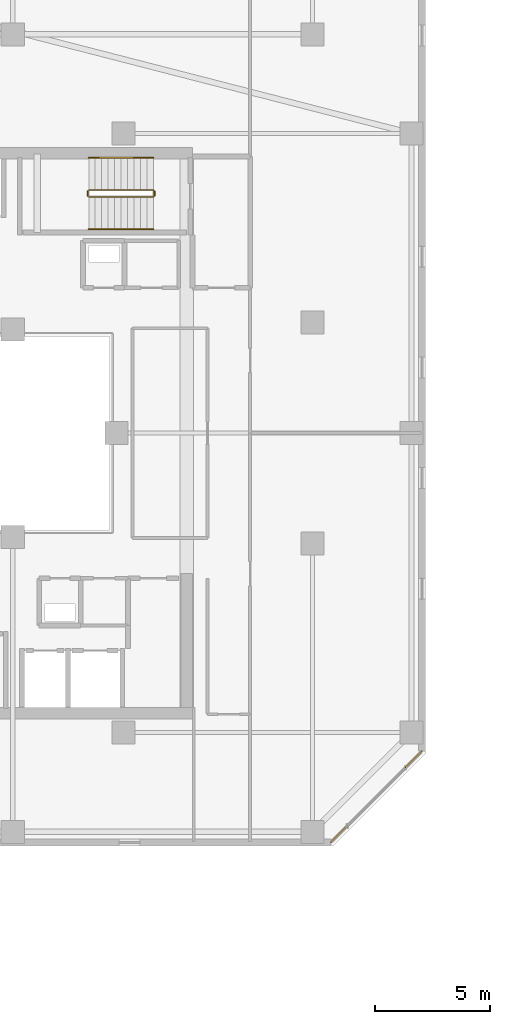
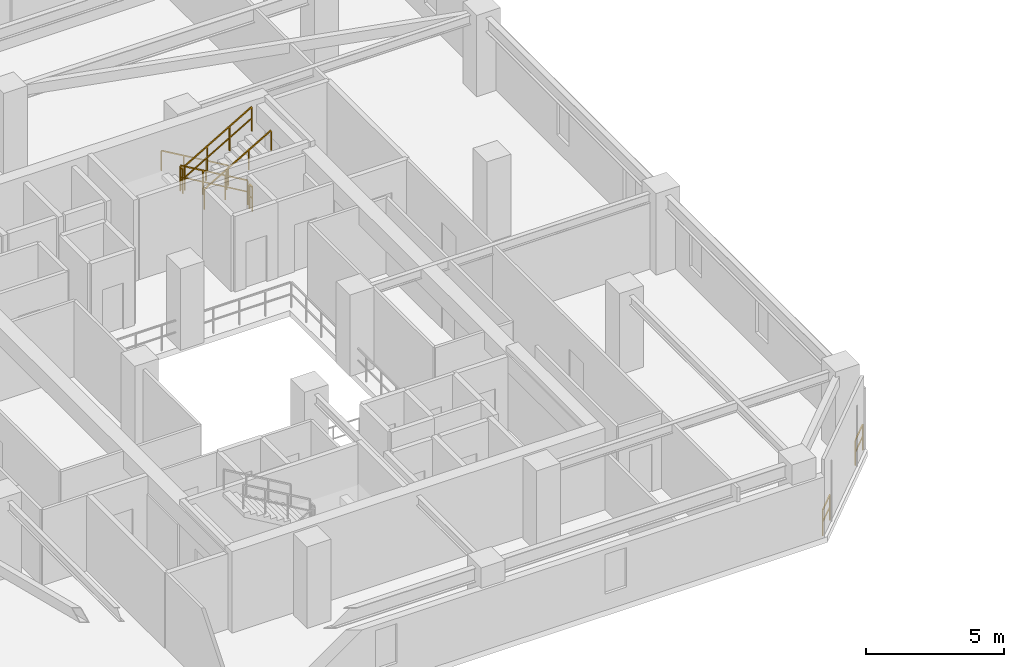
# One storey, part 31 of 33: 8 railings.
"""IFC4 building model written with IfcOpenShell, lengths in metres."""

from ifc_helpers import new_model, si_unit, direction, frame, origin, origin_2d, place, context, subcontext, project, spatial, rectangle, extrude, material, type_object, element, save


model = new_model("IFC4")

# Units and contexts
model_context = context("Model", 3, precision=1e-05, world=origin(), true_north=direction((0.0, 1.0)))
body_context = subcontext(model_context, "Body", "Model", "MODEL_VIEW")
ifc_project = project(units=[si_unit("LENGTHUNIT", "METRE"), si_unit("AREAUNIT", "SQUARE_METRE"), si_unit("VOLUMEUNIT", "CUBIC_METRE"), si_unit("PLANEANGLEUNIT", "RADIAN"), si_unit("MASSUNIT", "GRAM", prefix="KILO")], contexts=[model_context])

# Site, building, storey
site_placement = place(None, origin())
site = spatial("IfcSite", under=ifc_project, at=site_placement, CompositionType="ELEMENT")
building_placement = place(site_placement, origin())
building = spatial("IfcBuilding", under=site, at=building_placement, Name="Thornwick Lancets Civic Towers", CompositionType="ELEMENT")
storey_placement = place(building_placement, frame((0.0, 0.0, 203.699951171875)))
storey = spatial("IfcBuildingStorey", under=building, at=storey_placement, Name="L54", CompositionType="ELEMENT", Elevation=203.699951171875)

# Railings
ifc_material_1 = material(Name="Brushed stainless steel S355", Category="steel")
railing_type_1 = type_object("IfcRailingType", Name="RAIL_HANDRAIL", PredefinedType="HANDRAIL", material=ifc_material_1)
railing_1_placement = place(storey_placement, frame((31.60009765625, 38.949951171875, 0.16357421875)))
element("IfcRailing", 1, at=railing_1_placement, inside=storey, type_object=railing_type_1, Name="L54 ST-A2 stair handrail 1", PredefinedType="HANDRAIL", context=body_context, shape_type="SweptSolid", body=[
    extrude(rectangle(XDim=0.048095703125, YDim=0.048095703125, at=origin_2d()), frame((0.0, 0.0, 0.8857421875), z_axis=(-0.863360870873, 0.0, 0.504586966384), x_axis=(0.0, -1.0, 0.0)), (0.0, 0.0, 1.0), 3.2431640625),
    extrude(rectangle(XDim=0.0419921875, YDim=0.0419921875, at=origin_2d()), origin(), (0.0, 0.0, 1.0), 0.855712890625),
    extrude(rectangle(XDim=0.0419921875, YDim=0.0419921875, at=origin_2d()), frame((-0.933349609375, 0.0, 0.54541015625)), (0.0, 0.0, 1.0), 0.855712890625),
    extrude(rectangle(XDim=0.0419921875, YDim=0.0419921875, at=origin_2d()), frame((-1.86669921875, 0.0, 1.091064453125)), (0.0, 0.0, 1.0), 0.855712890625),
    extrude(rectangle(XDim=0.0419921875, YDim=0.0419921875, at=origin_2d()), frame((-2.800048828125, 0.0, 1.636474609375)), (0.0, 0.0, 1.0), 0.855712890625),
])
railing_2_placement = place(storey_placement, frame((28.800048828125, 35.85009765625, 1.963623046875)))
element("IfcRailing", 2, at=railing_2_placement, inside=storey, type_object=railing_type_1, Name="L54 ST-A2 stair handrail 2", PredefinedType="HANDRAIL", context=body_context, shape_type="SweptSolid", body=[
    extrude(rectangle(XDim=0.048095703125, YDim=0.048095703125, at=origin_2d()), frame((0.0, 0.0, 0.8857421875), z_axis=(0.863360870873, 0.0, 0.504586966384), x_axis=(0.0, 1.0, 0.0)), (0.0, 0.0, 1.0), 3.2431640625),
    extrude(rectangle(XDim=0.0419921875, YDim=0.0419921875, at=origin_2d()), origin(), (0.0, 0.0, 1.0), 0.855712890625),
    extrude(rectangle(XDim=0.0419921875, YDim=0.0419921875, at=origin_2d()), frame((0.933349609375, 0.0, 0.54541015625)), (0.0, 0.0, 1.0), 0.855712890625),
    extrude(rectangle(XDim=0.0419921875, YDim=0.0419921875, at=origin_2d()), frame((1.86669921875, 0.0, 1.091064453125)), (0.0, 0.0, 1.0), 0.855712890625),
    extrude(rectangle(XDim=0.0419921875, YDim=0.0419921875, at=origin_2d()), frame((2.800048828125, 0.0, 1.636474609375)), (0.0, 0.0, 1.0), 0.855712890625),
])
ifc_material_2 = material(Name="Steel S355JR", Category="steel")
railing_type_2 = type_object("IfcRailingType", Name="RAIL_STAIR_GUARD", PredefinedType="GUARDRAIL", material=ifc_material_2)
railing_3_placement = place(storey_placement, frame((31.60009765625, 37.550048828125, 0.16357421875)))
element("IfcRailing", 3, at=railing_3_placement, inside=storey, type_object=railing_type_2, Name="L54 ST-A2 stair guard 1", PredefinedType="GUARDRAIL", context=body_context, shape_type="SweptSolid", body=[
    extrude(rectangle(XDim=0.048095703125, YDim=0.048095703125, at=origin_2d()), frame((0.0, 0.0, 1.076171875), z_axis=(-0.863360870873, 0.0, 0.504586966384), x_axis=(0.0, -1.0, 0.0)), (0.0, 0.0, 1.0), 3.2431640625),
    extrude(rectangle(XDim=0.0419921875, YDim=0.0419921875, at=origin_2d()), frame((-0.032470703125, 0.0, 0.591064453125), z_axis=(-0.863360870873, 0.0, 0.504586966384), x_axis=(0.0, -1.0, 0.0)), (0.0, 0.0, 1.0), 1.006103515625),
    extrude(rectangle(XDim=0.0419921875, YDim=0.0419921875, at=origin_2d()), frame((-0.9658203125, 0.0, 1.136474609375), z_axis=(-0.863360870873, 0.0, 0.504586966384), x_axis=(0.0, -1.0, 0.0)), (0.0, 0.0, 1.0), 1.006103515625),
    extrude(rectangle(XDim=0.0419921875, YDim=0.0419921875, at=origin_2d()), frame((-1.899169921875, 0.0, 1.681884765625), z_axis=(-0.863360870873, 0.0, 0.504586966384), x_axis=(0.0, -1.0, 0.0)), (0.0, 0.0, 1.0), 1.006103515625),
    extrude(rectangle(XDim=0.0419921875, YDim=0.0419921875, at=origin_2d()), origin(), (0.0, 0.0, 1.0), 1.0458984375),
    extrude(rectangle(XDim=0.0419921875, YDim=0.0419921875, at=origin_2d()), frame((-0.933349609375, 0.0, 0.54541015625)), (0.0, 0.0, 1.0), 1.0458984375),
    extrude(rectangle(XDim=0.0419921875, YDim=0.0419921875, at=origin_2d()), frame((-1.86669921875, 0.0, 1.091064453125)), (0.0, 0.0, 1.0), 1.0458984375),
    extrude(rectangle(XDim=0.0419921875, YDim=0.0419921875, at=origin_2d()), frame((-2.800048828125, 0.0, 1.636474609375)), (0.0, 0.0, 1.0), 1.0458984375),
])
railing_4_placement = place(storey_placement, frame((28.75, 37.5, 1.800048828125)))
element("IfcRailing", 4, at=railing_4_placement, inside=storey, type_object=railing_type_2, Name="L54 ST-A2 stair guard 2", PredefinedType="GUARDRAIL", context=body_context, shape_type="SweptSolid", body=[
    extrude(rectangle(XDim=0.048095703125, YDim=0.048095703125, at=origin_2d()), frame((0.0, 0.0, 1.076171875), z_axis=(0.0, -1.0, 0.0), x_axis=(1.0, 0.0, 0.0)), (0.0, 0.0, 1.0), 0.199951171875),
    extrude(rectangle(XDim=0.0419921875, YDim=0.0419921875, at=origin_2d()), frame((0.0, -0.03759765625, 0.572021484375), z_axis=(0.0, -1.0, 0.0), x_axis=(1.0, 0.0, 0.0)), (0.0, 0.0, 1.0), 0.125),
    extrude(rectangle(XDim=0.0419921875, YDim=0.0419921875, at=origin_2d()), origin(), (0.0, 0.0, 1.0), 1.0458984375),
    extrude(rectangle(XDim=0.0419921875, YDim=0.0419921875, at=origin_2d()), frame((0.0, -0.199951171875, 0.0)), (0.0, 0.0, 1.0), 1.0458984375),
])
railing_5_placement = place(storey_placement, frame((28.800048828125, 37.25, 1.963623046875)))
element("IfcRailing", 5, at=railing_5_placement, inside=storey, type_object=railing_type_2, Name="L54 ST-A2 stair guard 3", PredefinedType="GUARDRAIL", context=body_context, shape_type="SweptSolid", body=[
    extrude(rectangle(XDim=0.048095703125, YDim=0.048095703125, at=origin_2d()), frame((0.0, 0.0, 1.076171875), z_axis=(0.863360870873, 0.0, 0.504586966384), x_axis=(0.0, 1.0, 0.0)), (0.0, 0.0, 1.0), 3.2431640625),
    extrude(rectangle(XDim=0.0419921875, YDim=0.0419921875, at=origin_2d()), frame((0.032470703125, 0.0, 0.591064453125), z_axis=(0.863360870873, 0.0, 0.504586966384), x_axis=(0.0, 1.0, 0.0)), (0.0, 0.0, 1.0), 1.006103515625),
    extrude(rectangle(XDim=0.0419921875, YDim=0.0419921875, at=origin_2d()), frame((0.9658203125, 0.0, 1.136474609375), z_axis=(0.863360870873, 0.0, 0.504586966384), x_axis=(0.0, 1.0, 0.0)), (0.0, 0.0, 1.0), 1.006103515625),
    extrude(rectangle(XDim=0.0419921875, YDim=0.0419921875, at=origin_2d()), frame((1.899169921875, 0.0, 1.681884765625), z_axis=(0.863360870873, 0.0, 0.504586966384), x_axis=(0.0, 1.0, 0.0)), (0.0, 0.0, 1.0), 1.006103515625),
    extrude(rectangle(XDim=0.0419921875, YDim=0.0419921875, at=origin_2d()), origin(), (0.0, 0.0, 1.0), 1.0458984375),
    extrude(rectangle(XDim=0.0419921875, YDim=0.0419921875, at=origin_2d()), frame((0.933349609375, 0.0, 0.54541015625)), (0.0, 0.0, 1.0), 1.0458984375),
    extrude(rectangle(XDim=0.0419921875, YDim=0.0419921875, at=origin_2d()), frame((1.86669921875, 0.0, 1.091064453125)), (0.0, 0.0, 1.0), 1.0458984375),
    extrude(rectangle(XDim=0.0419921875, YDim=0.0419921875, at=origin_2d()), frame((2.800048828125, 0.0, 1.636474609375)), (0.0, 0.0, 1.0), 1.0458984375),
])
railing_6_placement = place(storey_placement, frame((31.64990234375, 37.5, 0.0)))
element("IfcRailing", 6, at=railing_6_placement, inside=storey, type_object=railing_type_2, Name="L54 ST-A2 stair guard 4", PredefinedType="GUARDRAIL", context=body_context, shape_type="SweptSolid", body=[
    extrude(rectangle(XDim=0.048095703125, YDim=0.048095703125, at=origin_2d()), frame((0.0, 0.0, 1.076171875), z_axis=(0.0, -1.0, 0.0), x_axis=(1.0, 0.0, 0.0)), (0.0, 0.0, 1.0), 0.199951171875),
    extrude(rectangle(XDim=0.0419921875, YDim=0.0419921875, at=origin_2d()), frame((0.0, -0.03759765625, 0.572021484375), z_axis=(0.0, -1.0, 0.0), x_axis=(1.0, 0.0, 0.0)), (0.0, 0.0, 1.0), 0.125),
    extrude(rectangle(XDim=0.0419921875, YDim=0.0419921875, at=origin_2d()), origin(), (0.0, 0.0, 1.0), 1.0458984375),
    extrude(rectangle(XDim=0.0419921875, YDim=0.0419921875, at=origin_2d()), frame((0.0, -0.199951171875, 0.0)), (0.0, 0.0, 1.0), 1.0458984375),
])
ifc_material_3 = material(Name="Terracotta-capped laminated glass balustrade S355", Category="masonry")
railing_type_3 = type_object("IfcRailingType", Name="RAIL_TERR_GUARD", PredefinedType="GUARDRAIL", material=ifc_material_3)
railing_7_placement = place(storey_placement, frame((39.3017578125, 9.239990234375, 0.0)))
element("IfcRailing", 7, at=railing_7_placement, inside=storey, type_object=railing_type_3, Name="L54 Tower A Chamfer Spandrel Guard E1-1", PredefinedType="GUARDRAIL", context=body_context, shape_type="SweptSolid", body=[
    extrude(rectangle(XDim=0.048095703125, YDim=0.048095703125, at=origin_2d()), frame((0.0, 0.0, 1.1259765625), z_axis=(0.707227830021, 0.706985711626, 0.0), x_axis=(-0.706985711626, 0.707227830021, 0.0)), (0.0, 0.0, 1.0), 1.00830078125),
    extrude(rectangle(XDim=0.0419921875, YDim=0.0419921875, at=origin_2d()), frame((0.026611328125, 0.026611328125, 0.597900390625), z_axis=(0.707227830021, 0.706985711626, 0.0), x_axis=(-0.706985711626, 0.707227830021, 0.0)), (0.0, 0.0, 1.0), 0.933349609375),
    extrude(rectangle(XDim=0.0419921875, YDim=0.0419921875, at=origin_2d()), origin(), (0.0, 0.0, 1.0), 1.095703125),
    extrude(rectangle(XDim=0.0419921875, YDim=0.0419921875, at=origin_2d()), frame((0.713134765625, 0.712890625, 0.0)), (0.0, 0.0, 1.0), 1.095703125),
])
railing_8_placement = place(storey_placement, frame((42.547119140625, 12.485107421875, 0.0)))
element("IfcRailing", 8, at=railing_8_placement, inside=storey, type_object=railing_type_3, Name="L54 Tower A Chamfer Spandrel Guard E1-2", PredefinedType="GUARDRAIL", context=body_context, shape_type="SweptSolid", body=[
    extrude(rectangle(XDim=0.048095703125, YDim=0.048095703125, at=origin_2d()), frame((0.0, 0.0, 1.1259765625), z_axis=(0.706985711626, 0.707227830021, 0.0), x_axis=(-0.707227830021, 0.706985711626, 0.0)), (0.0, 0.0, 1.0), 1.00830078125),
    extrude(rectangle(XDim=0.0419921875, YDim=0.0419921875, at=origin_2d()), frame((0.026611328125, 0.026611328125, 0.597900390625), z_axis=(0.706985711626, 0.707227830021, 0.0), x_axis=(-0.707227830021, 0.706985711626, 0.0)), (0.0, 0.0, 1.0), 0.933349609375),
    extrude(rectangle(XDim=0.0419921875, YDim=0.0419921875, at=origin_2d()), origin(), (0.0, 0.0, 1.0), 1.095703125),
    extrude(rectangle(XDim=0.0419921875, YDim=0.0419921875, at=origin_2d()), frame((0.712890625, 0.713134765625, 0.0)), (0.0, 0.0, 1.0), 1.095703125),
])

save(model, "model.ifc")
